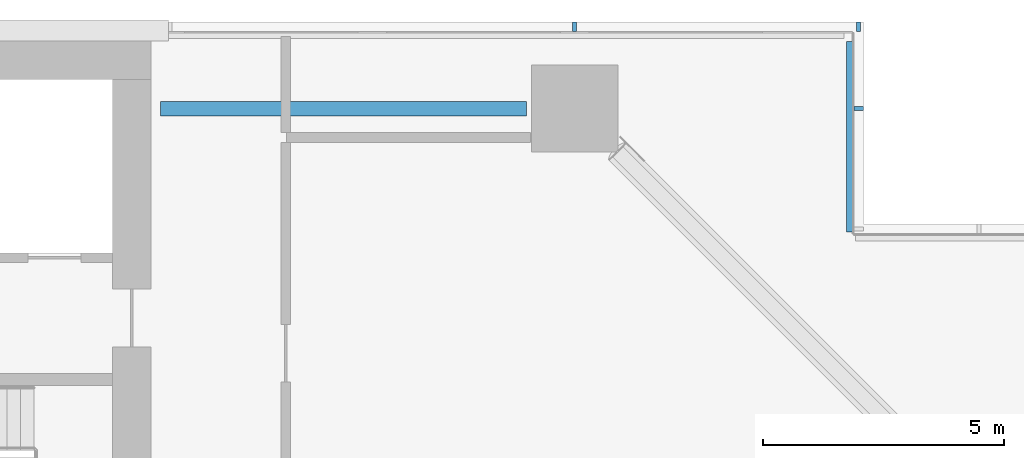
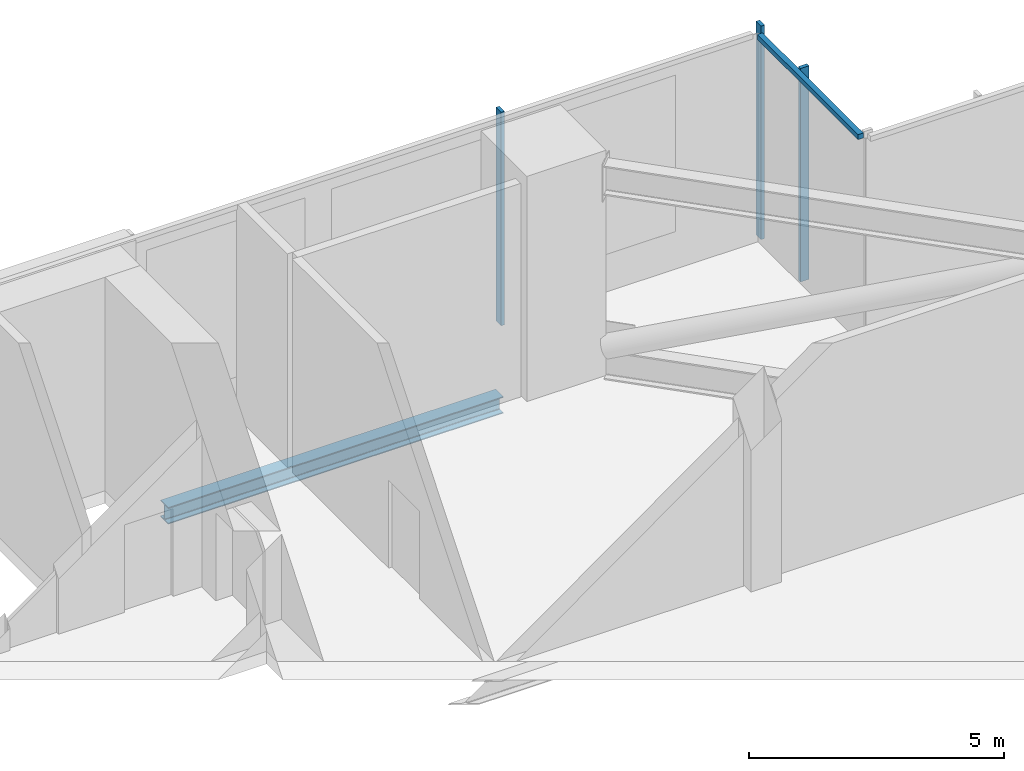
# One storey, part 10 of 29: 4 members, 1 beam, 2 elements without a shape of their own.
"""IFC4 building model written with IfcOpenShell, lengths in metres."""

from ifc_helpers import new_model, si_unit, direction, frame, origin, origin_2d, place, context, subcontext, project, spatial, rectangle, i_section, extrude, material, material_profile, profile_set, type_object, element, aggregate, save


model = new_model("IFC4")

# Units and contexts
model_context = context("Model", 3, precision=1e-05, world=origin(), true_north=direction((0.0, 1.0)))
body_context = subcontext(model_context, "Body", "Model", "MODEL_VIEW")
ifc_project = project(units=[si_unit("LENGTHUNIT", "METRE"), si_unit("AREAUNIT", "SQUARE_METRE"), si_unit("VOLUMEUNIT", "CUBIC_METRE"), si_unit("PLANEANGLEUNIT", "RADIAN"), si_unit("MASSUNIT", "GRAM", prefix="KILO")], contexts=[model_context])

# Site, building, storey
site_placement = place(None, origin())
site = spatial("IfcSite", under=ifc_project, at=site_placement, CompositionType="ELEMENT")
building_placement = place(site_placement, origin())
building = spatial("IfcBuilding", under=site, at=building_placement, Name="Saffron Gate Tower", CompositionType="ELEMENT")
storey_placement = place(building_placement, frame((0.0, 0.0, 142.050048828125)))
storey = spatial("IfcBuildingStorey", under=building, at=storey_placement, Name="L34", CompositionType="ELEMENT", Elevation=142.050048828125)

# Beam
ifc_material_1 = material(Name="Structural steel S355", Category="steel")
ifc_material_profile_1 = material_profile(ifc_material_1, i_section(OverallWidth=0.300048828125, OverallDepth=0.39990234375, WebThickness=0.013427734375, FlangeThickness=0.02392578125, FilletRadius=0.027099609375, at=origin_2d()))
ifc_profile_set_1 = profile_set([ifc_material_profile_1], Name="Structural steel S355")
beam_type = type_object("IfcBeamType", Name="B2 HEB 400", PredefinedType="BEAM", material=ifc_profile_set_1)
beam_placement = place(storey_placement, frame((116.0, 73.800048828125, -0.5), z_axis=(-1.0, 0.0, 0.0), x_axis=(0.0, -1.0, 0.0)))
element("IfcBeam", 1, at=beam_placement, inside=storey, type_object=beam_type, Name="B2 CORE TIE BEAM", PredefinedType="BEAM", context=body_context, shape_type="SweptSolid", body=[
    extrude(i_section(OverallWidth=0.300048828125, OverallDepth=0.39990234375, WebThickness=0.013427734375, FlangeThickness=0.02392578125, FilletRadius=0.027099609375, at=origin_2d()), origin(), (0.0, 0.0, 1.0), 7.60009765625),
])

# Curtain wall, members
ifc_material_2 = material(Name="Aluminium, bronze anodised", Category="aluminium")
curtain_wall_type = type_object("IfcCurtainWallType", Name="CWS6 curtain wall tall storeys", PredefinedType="NOTDEFINED", material=ifc_material_2)
curtain_wall_1_placement = place(storey_placement, origin())
curtain_wall_1 = element("IfcCurtainWall", 2, at=curtain_wall_1_placement, inside=storey, type_object=curtain_wall_type, Name="CWS6 run 6", PredefinedType="NOTDEFINED")
ifc_material_profile_2 = material_profile(ifc_material_2, rectangle(XDim=0.1201171875, YDim=0.1201171875, at=origin_2d()))
ifc_profile_set_2 = profile_set([ifc_material_profile_2], Name="Aluminium, bronze anodised")
member_type_1 = type_object("IfcMemberType", Name="CWS6 head transom", PredefinedType="USERDEFINED", material=ifc_profile_set_2)
member_1_placement = place(storey_placement, frame((122.7119140625, 71.23193359375, 5.06005859375), z_axis=(0.0, 1.0, 0.0), x_axis=(-1.0, 0.0, 0.0)))
member_1 = element("IfcMember", 3, at=member_1_placement, type_object=member_type_1, Name="CWS6 head transom", ObjectType="TRANSOM", PredefinedType="USERDEFINED", context=body_context, shape_type="SweptSolid", body=[
    extrude(rectangle(XDim=0.1201171875, YDim=0.1201171875, at=origin_2d()), origin(), (0.0, 0.0, 1.0), 3.9599609375),
])
ifc_material_profile_3 = material_profile(ifc_material_2, rectangle(XDim=0.199951171875, YDim=0.080078125, at=origin_2d()))
ifc_profile_set_3 = profile_set([ifc_material_profile_3], Name="Aluminium, bronze anodised")
member_type_2 = type_object("IfcMemberType", Name="CWS6 mullion 80x200", PredefinedType="MULLION", material=ifc_profile_set_3)
member_2_placement = place(storey_placement, frame((122.89990234375, 73.800048828125, 0.0), z_axis=(0.0, 0.0, 1.0), x_axis=(-1.0, 0.0, 0.0)))
member_2 = element("IfcMember", 4, at=member_2_placement, type_object=member_type_2, Name="CWS6 mullion 2", PredefinedType="MULLION", context=body_context, shape_type="SweptSolid", body=[
    extrude(rectangle(XDim=0.199951171875, YDim=0.080078125, at=origin_2d()), origin(), (0.0, 0.0, 1.0), 5.119873046875),
])
aggregate(curtain_wall_1, [member_2, member_1])

curtain_wall_2_placement = place(storey_placement, origin())
curtain_wall_2 = element("IfcCurtainWall", 5, at=curtain_wall_2_placement, inside=storey, type_object=curtain_wall_type, Name="CWS6 run 7", PredefinedType="NOTDEFINED")
member_3_placement = place(storey_placement, frame((122.89990234375, 75.5, 0.0), z_axis=(0.0, 0.0, 1.0), x_axis=(0.0, -1.0, 0.0)))
member_3 = element("IfcMember", 6, at=member_3_placement, type_object=member_type_2, Name="CWS6 mullion 1", PredefinedType="MULLION", context=body_context, shape_type="SweptSolid", body=[
    extrude(rectangle(XDim=0.199951171875, YDim=0.080078125, at=origin_2d()), origin(), (0.0, 0.0, 1.0), 5.119873046875),
])
member_4_placement = place(storey_placement, frame((117.0, 75.5, 0.0), z_axis=(0.0, 0.0, 1.0), x_axis=(0.0, -1.0, 0.0)))
member_4 = element("IfcMember", 7, at=member_4_placement, type_object=member_type_2, Name="CWS6 mullion 2", PredefinedType="MULLION", context=body_context, shape_type="SweptSolid", body=[
    extrude(rectangle(XDim=0.199951171875, YDim=0.080078125, at=origin_2d()), origin(), (0.0, 0.0, 1.0), 5.119873046875),
])
aggregate(curtain_wall_2, [member_3, member_4])

save(model, "model.ifc")
